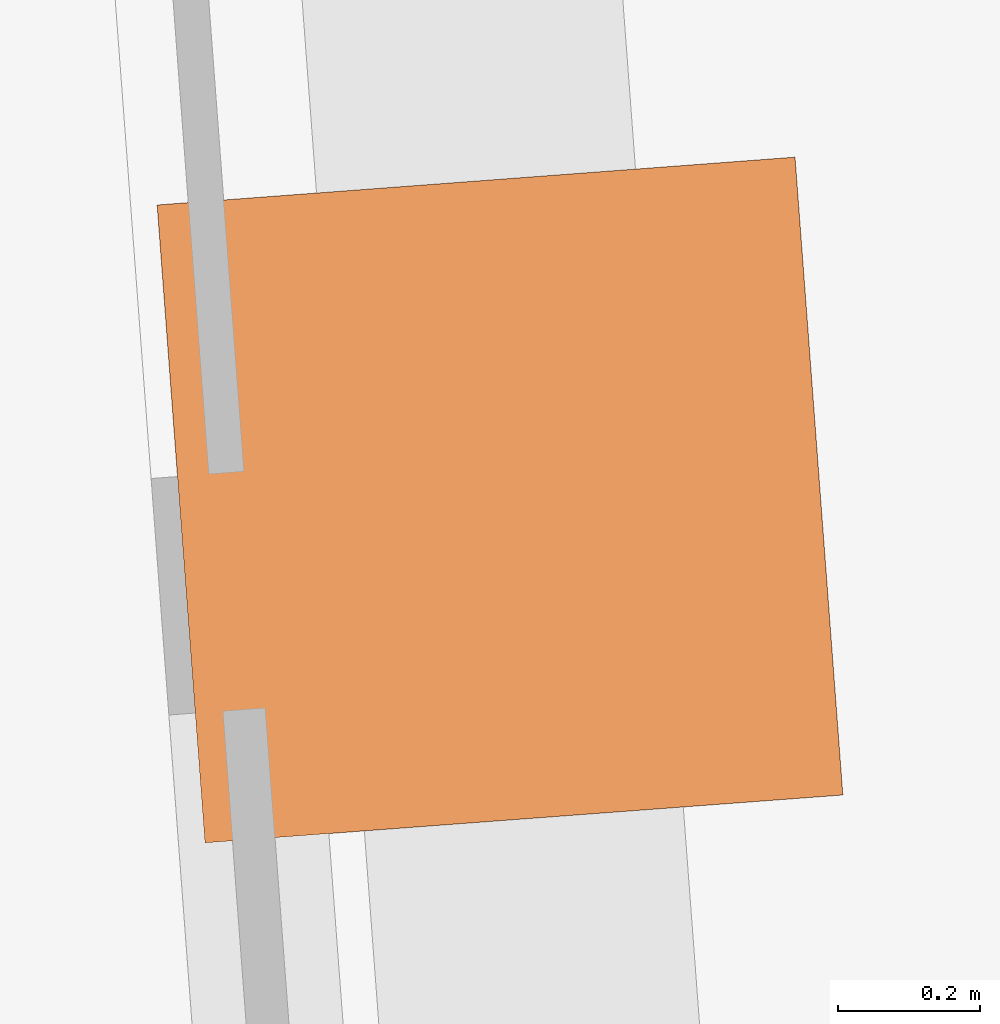
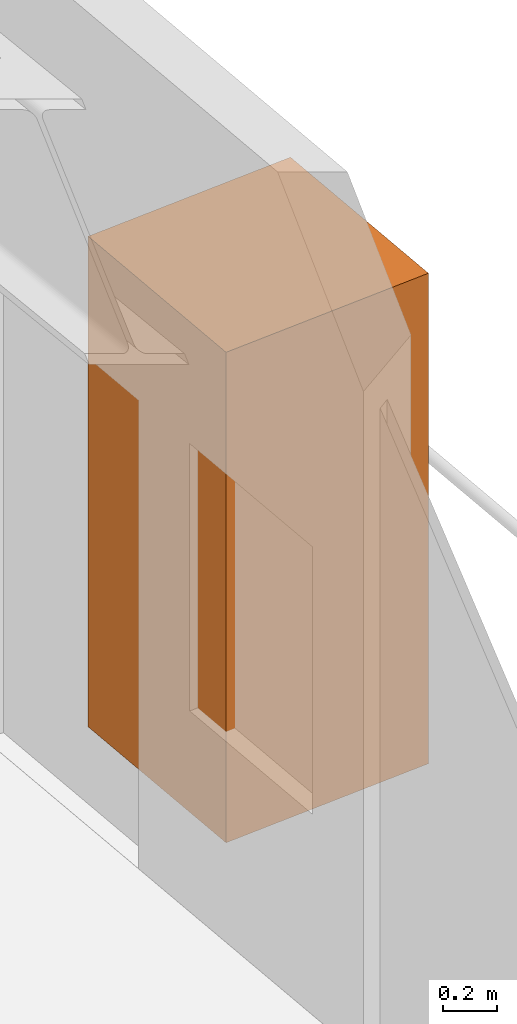
# One storey, part 9 of 9: 1 geographic element.
"""IFC4 building model written with IfcOpenShell, lengths in metres."""

from ifc_helpers import new_model, si_unit, direction, frame, origin, origin_2d, place, context, subcontext, project, spatial, rectangle, extrude, material, type_object, element, save


model = new_model("IFC4")

# Units and contexts
model_context = context("Model", 3, precision=1e-05, world=origin(), true_north=direction((0.0, 1.0)))
body_context = subcontext(model_context, "Body", "Model", "MODEL_VIEW")
ifc_project = project(units=[si_unit("LENGTHUNIT", "METRE"), si_unit("AREAUNIT", "SQUARE_METRE"), si_unit("VOLUMEUNIT", "CUBIC_METRE"), si_unit("PLANEANGLEUNIT", "RADIAN"), si_unit("MASSUNIT", "GRAM", prefix="KILO")], contexts=[model_context])

# Site, building, storey
site_placement = place(None, origin())
site = spatial("IfcSite", under=ifc_project, at=site_placement, CompositionType="ELEMENT")
building_placement = place(site_placement, origin())
building = spatial("IfcBuilding", under=site, at=building_placement, Name="Verdant Reach Tower", CompositionType="ELEMENT")
storey_placement = place(building_placement, frame((0.0, 0.0, 142.0)))
storey = spatial("IfcBuildingStorey", under=building, at=storey_placement, Name="L32", CompositionType="ELEMENT", Elevation=142.0)

# Geographic element
ifc_material = material(Name="Planting")
geographic_element_type = type_object("IfcGeographicElementType", Name="EN-TREE", PredefinedType="USERDEFINED", material=ifc_material)
geographic_element_placement = place(storey_placement, frame((24.164306640625, 19.322021484375, 0.39990234375), z_axis=(0.0, 0.0, 1.0), x_axis=(-0.074789948245, 0.997199309888, 0.0)))
element("IfcGeographicElement", 1, at=geographic_element_placement, inside=storey, type_object=geographic_element_type, Name="Balcony tree, Queen palm (Syagrus romanzoffiana), L32 1", ObjectType="TREE", PredefinedType="USERDEFINED", context=body_context, shape_type="SweptSolid", body=[
    extrude(rectangle(XDim=0.89990234375, YDim=0.89990234375, at=origin_2d()), origin(), (0.0, 0.0, 1.0), 2.199951171875),
])

save(model, "model.ifc")
